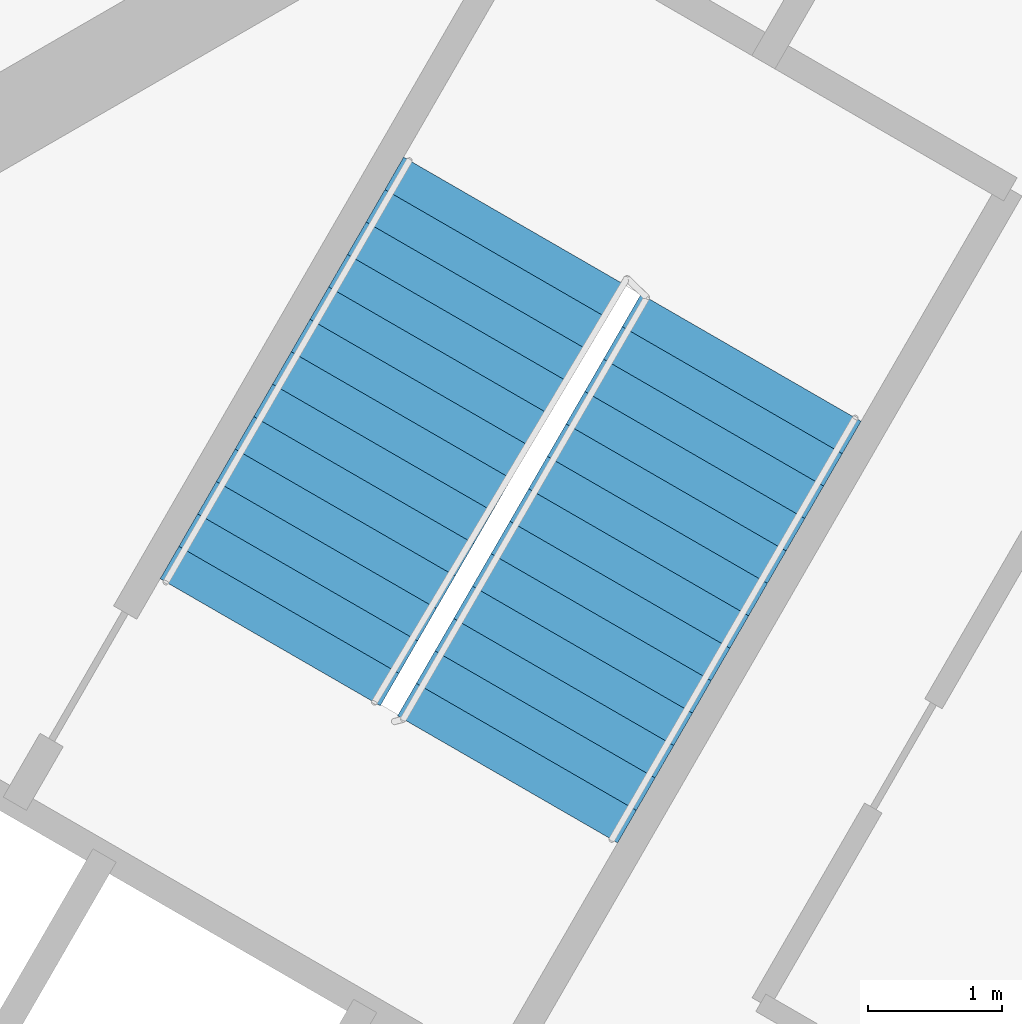
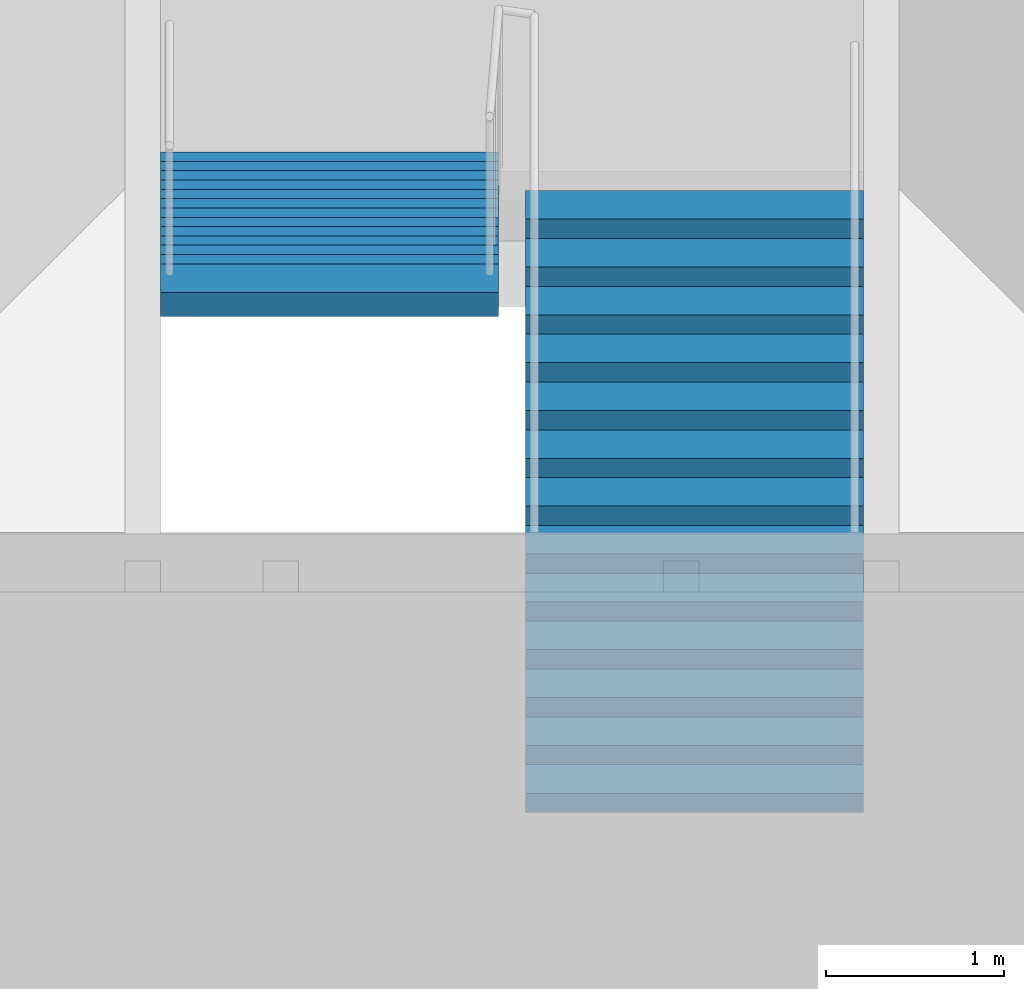
# One storey, part 7 of 11: 2 stair flights, 1 element without a shape of its own.
"""IFC4 building model written with IfcOpenShell, lengths in metres."""

from ifc_helpers import new_model, si_unit, direction, frame, origin, place, context, subcontext, project, spatial, polyline, outline, extrude, material, type_object, element, aggregate, save


model = new_model("IFC4")

# Units and contexts
model_context = context("Model", 3, precision=1e-05, world=origin(), true_north=direction((0.0, 1.0)))
body_context = subcontext(model_context, "Body", "Model", "MODEL_VIEW")
ifc_project = project(units=[si_unit("LENGTHUNIT", "METRE"), si_unit("AREAUNIT", "SQUARE_METRE"), si_unit("VOLUMEUNIT", "CUBIC_METRE"), si_unit("PLANEANGLEUNIT", "RADIAN"), si_unit("MASSUNIT", "GRAM", prefix="KILO")], contexts=[model_context])

# Site, building, storey
site_placement = place(None, origin())
site = spatial("IfcSite", under=ifc_project, at=site_placement, CompositionType="ELEMENT")
building_placement = place(site_placement, origin())
building = spatial("IfcBuilding", under=site, at=building_placement, Name="Jabali Bay Hotel Tower and Convention Centre", CompositionType="ELEMENT")
storey_placement = place(building_placement, frame((0.0, 0.0, 114.199951171875)))
storey = spatial("IfcBuildingStorey", under=building, at=storey_placement, Name="L27", CompositionType="ELEMENT", Elevation=114.199951171875)

# Stair, stair flights
ifc_material = material(Name="Concrete C40", Category="concrete")
stair_type = type_object("IfcStairType", Name="Exit stair 1900", PredefinedType="HALF_TURN_STAIR", material=ifc_material)
stair_placement = place(storey_placement, origin())
stair = element("IfcStair", 1, at=stair_placement, inside=storey, type_object=stair_type, Name="L27 Exit Stair 2", PredefinedType="HALF_TURN_STAIR")
stair_flight_type = type_object("IfcStairFlightType", Name="Stair flight concrete 150", PredefinedType="STRAIGHT", material=ifc_material)
stair_flight_1_placement = place(storey_placement, frame((85.177734375, 95.578369140625, 0.0), z_axis=(0.0, 0.0, 1.0), x_axis=(0.5, 0.866025403784, 0.0)))
stair_flight_1 = element("IfcStairFlight", 2, at=stair_flight_1_placement, type_object=stair_flight_type, Name="ST2 flight 1", NumberOfRisers=14, NumberOfTreads=13, PredefinedType="STRAIGHT", RiserHeight=0.132142857, TreadLength=0.28, context=body_context, shape_type="SweptSolid", body=[
    extrude(outline(polyline([(0.0, 0.0), (0.0, 0.132080078125), (0.280029296875, 0.132080078125), (0.280029296875, 0.264404296875), (0.56005859375, 0.264404296875), (0.56005859375, 0.396484375), (0.840087890625, 0.396484375), (0.840087890625, 0.528564453125), (1.1201171875, 0.528564453125), (1.1201171875, 0.66064453125), (1.39990234375, 0.66064453125), (1.39990234375, 0.79296875), (1.679931640625, 0.79296875), (1.679931640625, 0.925048828125), (1.9599609375, 0.925048828125), (1.9599609375, 1.05712890625), (2.239990234375, 1.05712890625), (2.239990234375, 1.189208984375), (2.52001953125, 1.189208984375), (2.52001953125, 1.321533203125), (2.800048828125, 1.321533203125), (2.800048828125, 1.45361328125), (3.080078125, 1.45361328125), (3.080078125, 1.585693359375), (3.360107421875, 1.585693359375), (3.360107421875, 1.7177734375), (3.639892578125, 1.7177734375), (3.639892578125, 1.85009765625), (3.639892578125, 1.552001953125), (0.351318359375, 0.0), (0.0, 0.0)])), frame((0.0, 0.949951171875, 0.0), z_axis=(0.0, -1.0, 0.0), x_axis=(1.0, 0.0, 0.0)), (0.0, 0.0, 1.0), 1.89990234375),
])
stair_flight_2_placement = place(storey_placement, frame((85.222412109375, 99.755615234375, 1.85009765625), z_axis=(0.0, 0.0, 1.0), x_axis=(-0.5, -0.866025403784, 0.0)))
stair_flight_2 = element("IfcStairFlight", 3, at=stair_flight_2_placement, type_object=stair_flight_type, Name="ST2 flight 2", NumberOfRisers=14, NumberOfTreads=13, PredefinedType="STRAIGHT", RiserHeight=0.132142857, TreadLength=0.28, context=body_context, shape_type="SweptSolid", body=[
    extrude(outline(polyline([(0.0, 0.0), (0.0, 0.132080078125), (0.280029296875, 0.132080078125), (0.280029296875, 0.264404296875), (0.56005859375, 0.264404296875), (0.56005859375, 0.396484375), (0.840087890625, 0.396484375), (0.840087890625, 0.528564453125), (1.1201171875, 0.528564453125), (1.1201171875, 0.66064453125), (1.39990234375, 0.66064453125), (1.39990234375, 0.79296875), (1.679931640625, 0.79296875), (1.679931640625, 0.925048828125), (1.9599609375, 0.925048828125), (1.9599609375, 1.05712890625), (2.239990234375, 1.05712890625), (2.239990234375, 1.189208984375), (2.52001953125, 1.189208984375), (2.52001953125, 1.321533203125), (2.800048828125, 1.321533203125), (2.800048828125, 1.45361328125), (3.080078125, 1.45361328125), (3.080078125, 1.585693359375), (3.360107421875, 1.585693359375), (3.360107421875, 1.7177734375), (3.639892578125, 1.7177734375), (3.639892578125, 1.85009765625), (3.639892578125, 1.552001953125), (0.351318359375, 0.0), (0.0, 0.0)])), frame((0.0, 0.949951171875, 0.0), z_axis=(0.0, -1.0, 0.0), x_axis=(1.0, 0.0, 0.0)), (0.0, 0.0, 1.0), 1.89990234375),
])
aggregate(stair, [stair_flight_1, stair_flight_2])

save(model, "model.ifc")
